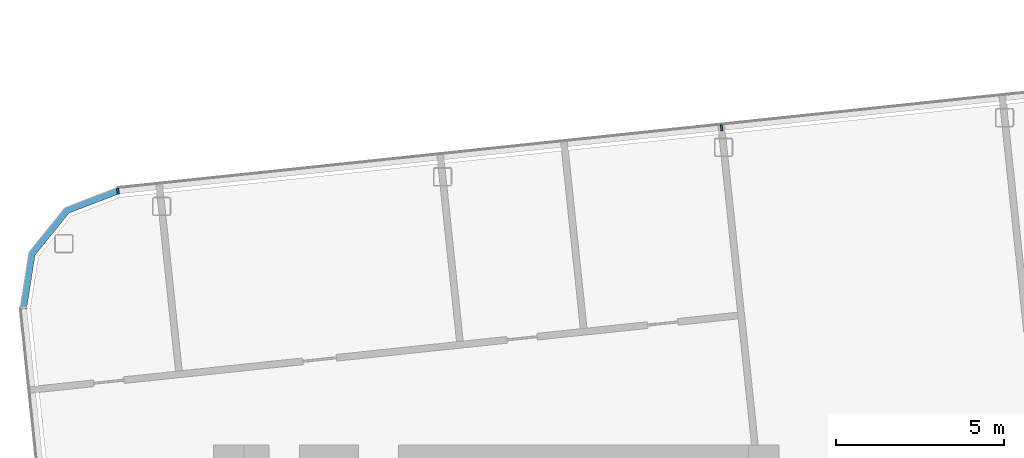
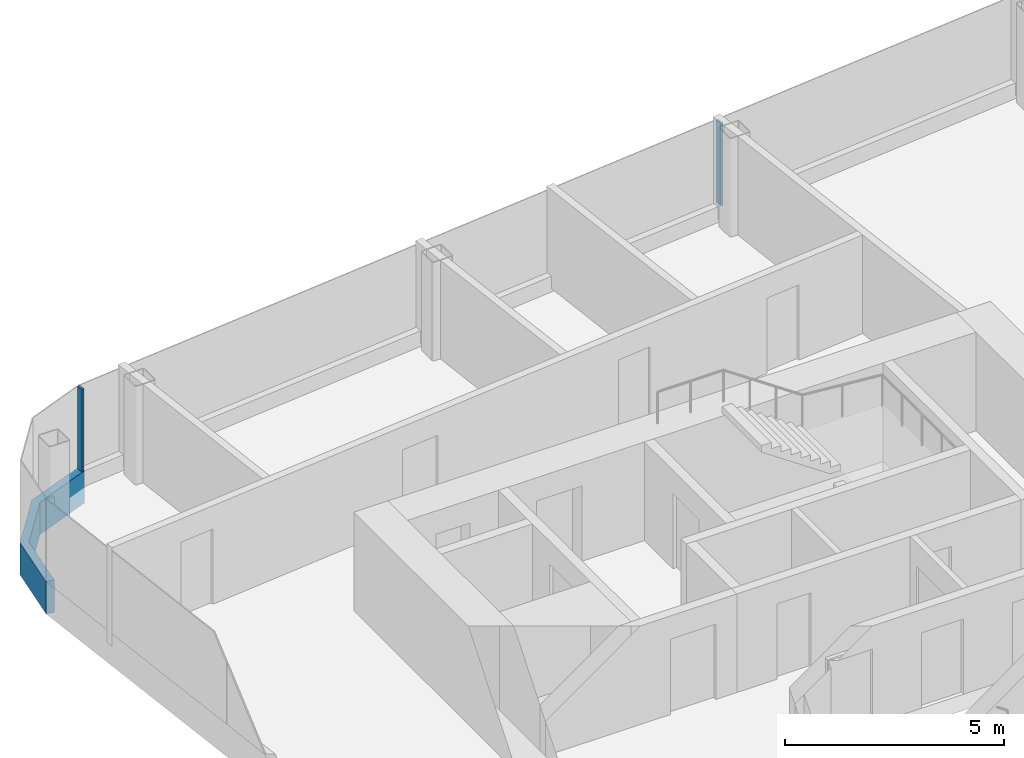
# One storey, part 8 of 27: 3 members, 2 elements without a shape of their own.
"""IFC4 building model written with IfcOpenShell, lengths in metres."""

import ifcopenshell
import ifcopenshell.guid

model = None  # the IFC model being written
_history = None  # IfcOwnerHistory: only IFC2X3 demands one
_inside = {}  # id of a spatial element -> (the spatial element, [elements in it])
_under = {}  # id of a project, library or spatial element -> (it, [spatial elements below it])
_declared = {}  # id of a project -> (the project, [libraries it declares])
_typed = {}  # id of a type object -> (the type object, [elements of that type])
_made_of = {}  # id of a material, layer set ... -> (it, [elements and type objects made of it])


def new_model(schema):
    """Start an empty IFC model of exactly this schema.

    Asked for "IFC4X3", IfcOpenShell would pick the latest addendum, in which some entities
    have other attributes; the version numbers below select the first issue.
    IFC2X3 requires an IfcOwnerHistory on every rooted entity: one is made here for all.
    """
    global model, _history
    if schema == "IFC4X3":
        model = ifcopenshell.file(schema_version=(4, 3, 0, 0))
    else:
        model = ifcopenshell.file(schema=schema)
    _inside.clear()
    _under.clear()
    _declared.clear()
    _typed.clear()
    _made_of.clear()
    _history = None
    if model.schema == "IFC2X3":
        org = make("IfcOrganization", Name="unknown")
        user = make(
            "IfcPersonAndOrganization",
            ThePerson=make("IfcPerson", FamilyName="unknown"),
            TheOrganization=org,
        )
        app = make(
            "IfcApplication",
            ApplicationDeveloper=org,
            Version="unknown",
            ApplicationFullName="unknown",
            ApplicationIdentifier="unknown",
        )
        _history = make(
            "IfcOwnerHistory",
            OwningUser=user,
            OwningApplication=app,
            ChangeAction="ADDED",
            CreationDate=0,
        )
    return model


def make(cls, **values):
    """One entity of the class cls with the attributes given. An attribute that is None is left unset."""
    return model.create_entity(
        cls, **{name: value for name, value in values.items() if value is not None}
    )


def rooted(cls, **values):
    """An entity with a GlobalId (a new one), such as an element, a storey or a relation."""
    return make(cls, GlobalId=ifcopenshell.guid.new(), OwnerHistory=_history, **values)


def si_unit(unit_type, name, prefix=None):
    """IfcSIUnit, for example si_unit("LENGTHUNIT", "METRE", prefix="MILLI")."""
    return make("IfcSIUnit", UnitType=unit_type, Prefix=prefix, Name=name)


def assignment(units):
    """IfcUnitAssignment: the units of a project."""
    return None if units is None else make("IfcUnitAssignment", Units=units)


def point(xyz):
    """IfcCartesianPoint."""
    return None if xyz is None else make("IfcCartesianPoint", Coordinates=xyz)


def direction(xyz):
    """IfcDirection."""
    return None if xyz is None else make("IfcDirection", DirectionRatios=xyz)


def frame(location, z_axis=None, x_axis=None):
    """IfcAxis2Placement3D, a coordinate frame: its origin and axes. An axis left out is left unset."""
    return make(
        "IfcAxis2Placement3D",
        Location=point(location),
        Axis=direction(z_axis),
        RefDirection=direction(x_axis),
    )


def frame_2d(location, x_axis=None):
    """IfcAxis2Placement2D, a coordinate frame in the plane: its origin and x axis."""
    return make(
        "IfcAxis2Placement2D", Location=point(location), RefDirection=direction(x_axis)
    )


def origin():
    """The frame at (0, 0, 0) with its axes left unset."""
    return frame((0.0, 0.0, 0.0))


def origin_2d():
    """The frame at (0, 0) in the plane with its x axis left unset."""
    return frame_2d((0.0, 0.0))


def place(relative_to, where):
    """IfcLocalPlacement: puts the frame where relative to a parent placement (None: the world)."""
    return make(
        "IfcLocalPlacement", PlacementRelTo=relative_to, RelativePlacement=where
    )


def context(
    kind, dimensions, precision=None, world=None, true_north=None, identifier=None
):
    """IfcGeometricRepresentationContext, for example the 3D "Model" context."""
    return make(
        "IfcGeometricRepresentationContext",
        ContextIdentifier=identifier,
        ContextType=kind,
        CoordinateSpaceDimension=dimensions,
        Precision=precision,
        WorldCoordinateSystem=world,
        TrueNorth=true_north,
    )


def subcontext(parent, identifier, kind, view, scale=None):
    """IfcGeometricRepresentationSubContext, for example "Body" below "Model"."""
    return make(
        "IfcGeometricRepresentationSubContext",
        ContextIdentifier=identifier,
        ContextType=kind,
        ParentContext=parent,
        TargetScale=scale,
        TargetView=view,
    )


def project(units=None, contexts=None):
    """IfcProject with its units and contexts."""
    return rooted(
        "IfcProject",
        Name="project",
        RepresentationContexts=contexts,
        UnitsInContext=assignment(units),
    )


def spatial(cls, under=None, at=None, **own):
    """A site, building, storey or space (cls), placed at a placement, below another one or the project."""
    s = rooted(cls, ObjectPlacement=at, **own)
    if under is not None:
        _under.setdefault(under.id(), (under, []))[1].append(s)
    return s


def polyline(points):
    """IfcPolyline through the points."""
    return make("IfcPolyline", Points=[point(p) for p in points])


def profile(cls, at=None, kind="AREA", **sizes):
    """A parametric profile (cls). Its sizes go by their IFC names, for example OverallWidth=200.0."""
    return make(cls, ProfileType=kind, Position=at, **sizes)


def rectangle(**sizes):
    """IfcRectangleProfileDef."""
    return profile("IfcRectangleProfileDef", **sizes)


def outline(outer, holes=None, kind="AREA"):
    """IfcArbitraryClosedProfileDef: a profile drawn as a closed curve; with holes, ...WithVoids."""
    if holes is None:
        return make("IfcArbitraryClosedProfileDef", ProfileType=kind, OuterCurve=outer)
    return make(
        "IfcArbitraryProfileDefWithVoids",
        ProfileType=kind,
        OuterCurve=outer,
        InnerCurves=holes,
    )


def extrude(swept, where, along, depth):
    """IfcExtrudedAreaSolid: the profile swept, set in the frame where, extruded along a direction by depth."""
    return make(
        "IfcExtrudedAreaSolid",
        SweptArea=swept,
        Position=where,
        ExtrudedDirection=direction(along),
        Depth=depth,
    )


def shape(context_of_items, identifier, shape_type, items):
    """IfcShapeRepresentation: the items that make up one representation, for example the "Body"."""
    return make(
        "IfcShapeRepresentation",
        ContextOfItems=context_of_items,
        RepresentationIdentifier=identifier,
        RepresentationType=shape_type,
        Items=items,
    )


def material(Name=None, Category=None):
    """IfcMaterial."""
    return make("IfcMaterial", Name=Name, Category=Category)


def layer(
    of_material, thickness, ventilated=None, Name=None, Category=None, Priority=None
):
    """IfcMaterialLayer: one layer of a wall or slab, of a material (None: an air gap)."""
    return make(
        "IfcMaterialLayer",
        Material=of_material,
        LayerThickness=thickness,
        IsVentilated=ventilated,
        Name=Name,
        Category=Category,
        Priority=Priority,
    )


def layer_set(layers, Name=None):
    """IfcMaterialLayerSet."""
    return make("IfcMaterialLayerSet", MaterialLayers=layers, LayerSetName=Name)


def material_profile(
    of_material, cross_section, Name=None, Category=None, Priority=None
):
    """IfcMaterialProfile: a cross section and its material."""
    return make(
        "IfcMaterialProfile",
        Name=Name,
        Material=of_material,
        Profile=cross_section,
        Priority=Priority,
        Category=Category,
    )


def profile_set(profiles, Name=None, composite=None):
    """IfcMaterialProfileSet."""
    return make(
        "IfcMaterialProfileSet",
        Name=Name,
        MaterialProfiles=profiles,
        CompositeProfile=composite,
    )


def made_of(thing, what):
    """Note that an element or type object is made of a material, layer set ...; save() writes the relation."""
    if what is not None:
        _made_of.setdefault(what.id(), (what, []))[1].append(thing)
    return thing


def type_object(cls, material=None, **own):
    """A type object (cls), such as IfcWallType, which elements share."""
    return made_of(rooted(cls, **own), material)


def element(
    cls,
    number,
    at=None,
    inside=None,
    cuts=None,
    type_object=None,
    material=None,
    context=None,
    identifier="Body",
    shape_type=None,
    held_by="IfcProductDefinitionShape",
    body=None,
    shapes=None,
    **own,
):
    """One element of the class cls, such as IfcWall. Its Tag is "e" and its number.

    at: its placement. inside: the storey or other place that contains it. cuts: it is an
    opening in that element (IfcRelVoidsElement). A single representation is given by context,
    identifier, shape_type and body (its items); several are given by shapes. held_by: the class
    of the entity that holds the representations. save() writes the other relations.
    """
    e = rooted(cls, Tag="e%d" % number, ObjectPlacement=at, **own)
    if body is not None:
        shapes = [shape(context, identifier, shape_type, body)]
    if shapes is not None:
        e.Representation = make(held_by, Representations=shapes)
    if inside is not None:
        _inside.setdefault(inside.id(), (inside, []))[1].append(e)
    if cuts is not None:
        rooted(
            "IfcRelVoidsElement", RelatingBuildingElement=cuts, RelatedOpeningElement=e
        )
    if type_object is not None:
        _typed.setdefault(type_object.id(), (type_object, []))[1].append(e)
    return made_of(e, material)


def aggregate(whole, parts):
    """IfcRelAggregates: a whole, such as a stair, and the parts it consists of."""
    return rooted("IfcRelAggregates", RelatingObject=whole, RelatedObjects=parts)


def save(model, path):
    """Write the relations noted so far, then the file.

    IfcRelAggregates (storeys below a building ...), IfcRelContainedInSpatialStructure (elements
    in a storey), IfcRelDefinesByType, IfcRelAssociatesMaterial and IfcRelDeclares: one each for
    every whole, place, type object, material and project.
    """
    for whole, parts in _under.values():
        aggregate(whole, parts)
    for where, things in _inside.values():
        rooted(
            "IfcRelContainedInSpatialStructure",
            RelatedElements=things,
            RelatingStructure=where,
        )
    for kind, things in _typed.values():
        rooted("IfcRelDefinesByType", RelatedObjects=things, RelatingType=kind)
    for what, things in _made_of.values():
        rooted("IfcRelAssociatesMaterial", RelatedObjects=things, RelatingMaterial=what)
    for by, libraries in _declared.values():
        rooted("IfcRelDeclares", RelatingContext=by, RelatedDefinitions=libraries)
    model.write(path)


model = new_model("IFC4")

# Units and contexts
model_context = context("Model", 3, precision=1e-05, world=origin(), true_north=direction((0.0, 1.0)))
body_context = subcontext(model_context, "Body", "Model", "MODEL_VIEW")
ifc_project = project(units=[si_unit("LENGTHUNIT", "METRE"), si_unit("AREAUNIT", "SQUARE_METRE"), si_unit("VOLUMEUNIT", "CUBIC_METRE"), si_unit("PLANEANGLEUNIT", "RADIAN"), si_unit("MASSUNIT", "GRAM", prefix="KILO")], contexts=[model_context])

# Site, building, storey
site_placement = place(None, origin())
site = spatial("IfcSite", under=ifc_project, at=site_placement, CompositionType="ELEMENT")
building_placement = place(site_placement, origin())
building = spatial("IfcBuilding", under=site, at=building_placement, Name="Hakoniwa Tower and Hamabe Station Hall", CompositionType="ELEMENT")
storey_placement = place(building_placement, frame((0.0, 0.0, 255.0)))
storey = spatial("IfcBuildingStorey", under=building, at=storey_placement, Name="L72", CompositionType="ELEMENT", Elevation=255.0)

# Curtain wall, member
ifc_material_1 = material(Name="Dark low-e laminated glass", Category="glass")
ifc_layer = layer(ifc_material_1, 0.199951171875)
ifc_layer_set = layer_set([ifc_layer], Name="CW-1 UNITISED GUEST")
curtain_wall_type = type_object("IfcCurtainWallType", Name="CW-1 UNITISED GUEST", PredefinedType="NOTDEFINED", material=ifc_layer_set)
curtain_wall_1_placement = place(storey_placement, origin())
curtain_wall_1 = element("IfcCurtainWall", 1, at=curtain_wall_1_placement, inside=storey, type_object=curtain_wall_type, Name="CW-1 curtain wall", PredefinedType="NOTDEFINED")
ifc_material_2 = material(Name="Aluminium 6063-T5 black anodised", Category="aluminium")
ifc_material_profile_1 = material_profile(ifc_material_2, rectangle(XDim=0.199951171875, YDim=0.89990234375, at=origin_2d()), Name="CW SLAB-EDGE BAND 900X200")
ifc_profile_set_1 = profile_set([ifc_material_profile_1], Name="Aluminium 6063-T5 black anodised")
member_type_1 = type_object("IfcMemberType", Name="CW SLAB-EDGE BAND 900X200", PredefinedType="USERDEFINED", material=ifc_profile_set_1)
member_1_placement = place(storey_placement, frame((0.0, 0.0, -0.550048828125)))
member_1 = element("IfcMember", 2, at=member_1_placement, type_object=member_type_1, Name="CW-1 transom", ObjectType="TRANSOM", PredefinedType="USERDEFINED", context=body_context, shape_type="SweptSolid", body=[
    extrude(outline(polyline([(-36.45703125, 16.0634765625), (-38.0185546875, 15.464111328125), (-39.09716796875, 14.13232421875), (-39.35888671875, 12.47998046875), (-39.161376953125, 12.44873046875), (-38.907958984375, 14.048095703125), (-37.89697265625, 15.296630859375), (-36.38525390625, 15.876708984375), (-36.45703125, 16.0634765625)])), origin(), (0.0, 0.0, 1.0), 0.900146484375),
])
aggregate(curtain_wall_1, [member_1])

# Curtain wall, members
curtain_wall_2_placement = place(storey_placement, origin())
curtain_wall_2 = element("IfcCurtainWall", 3, at=curtain_wall_2_placement, inside=storey, type_object=curtain_wall_type, Name="CW-1 curtain wall", PredefinedType="NOTDEFINED")
ifc_material_3 = material(Name="Aluminium 6063-T5 black anodised", Category="aluminium")
ifc_material_profile_2 = material_profile(ifc_material_3, rectangle(XDim=0.06005859375, YDim=0.179931640625, at=origin_2d()), Name="CW-1 MULLION 60X180")
ifc_profile_set_2 = profile_set([ifc_material_profile_2], Name="Aluminium 6063-T5 black anodised")
member_type_2 = type_object("IfcMemberType", Name="CW-1 MULLION 60X180", PredefinedType="MULLION", material=ifc_profile_set_2)
member_2_placement = place(storey_placement, frame((-18.50390625, 17.831787109375, 0.35009765625), z_axis=(0.0, 0.0, 1.0), x_axis=(-0.994521895272, -0.104528464188, 0.0)))
member_2 = element("IfcMember", 4, at=member_2_placement, type_object=member_type_2, Name="CW-1 mullion", PredefinedType="MULLION", context=body_context, shape_type="SweptSolid", body=[
    extrude(rectangle(XDim=0.06005859375, YDim=0.179931640625, at=origin_2d()), origin(), (0.0, 0.0, 1.0), 2.2998046875),
])
member_3_placement = place(storey_placement, frame((-36.444580078125, 15.946044921875, 0.35009765625), z_axis=(0.0, 0.0, 1.0), x_axis=(-0.994521895272, -0.104528464188, 0.0)))
member_3 = element("IfcMember", 5, at=member_3_placement, type_object=member_type_2, Name="CW-1 mullion", PredefinedType="MULLION", context=body_context, shape_type="SweptSolid", body=[
    extrude(rectangle(XDim=0.06005859375, YDim=0.179931640625, at=origin_2d()), origin(), (0.0, 0.0, 1.0), 2.2998046875),
])
aggregate(curtain_wall_2, [member_2, member_3])

save(model, "model.ifc")
